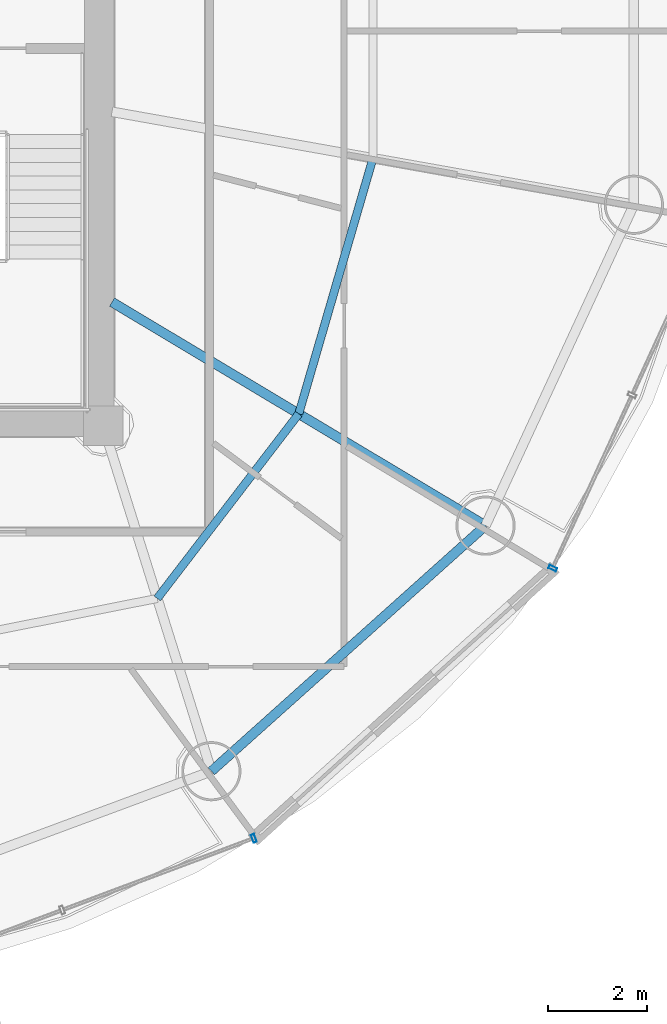
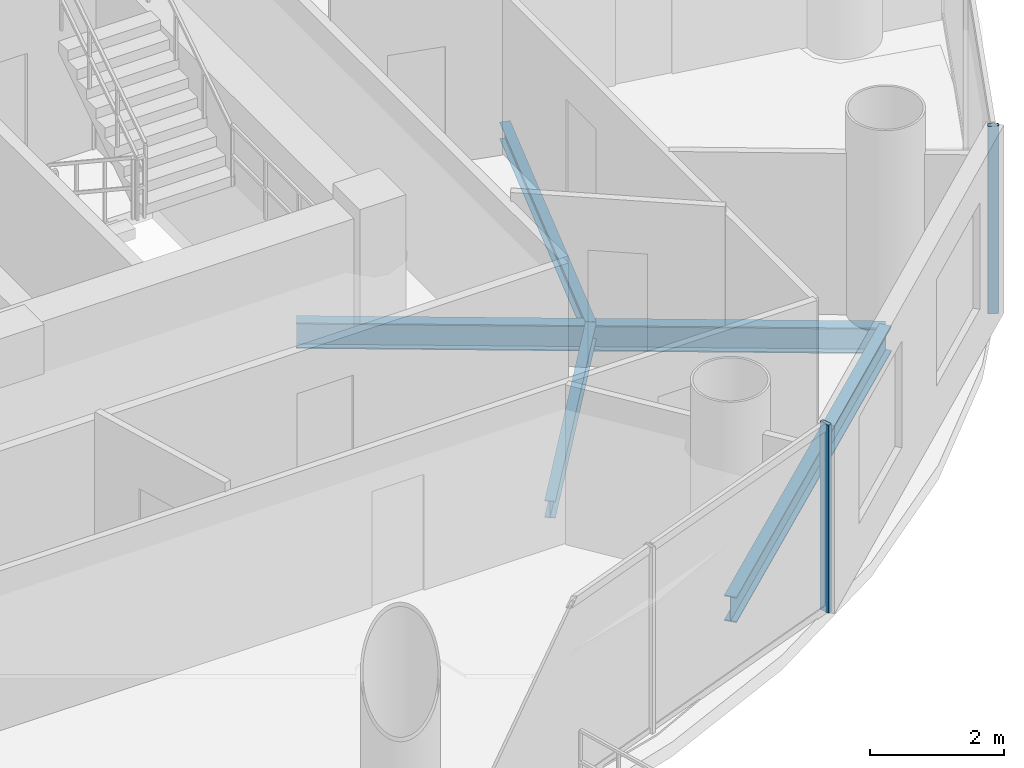
# One storey, part 11 of 26: 4 beams, 2 members, 2 elements without a shape of their own.
"""IFC4 building model written with IfcOpenShell, lengths in metres."""

from ifc_helpers import new_model, si_unit, direction, frame, origin, origin_2d, place, context, subcontext, project, spatial, hollow_rectangle, i_section, extrude, source, transform, mapped, material, material_profile, profile_set, type_object, element, aggregate, save


model = new_model("IFC4")

# Units and contexts
model_context = context("Model", 3, precision=1e-05, world=origin(), true_north=direction((-0.2419218956, 0.970295726276)))
body_context = subcontext(model_context, "Body", "Model", "MODEL_VIEW")
ifc_project = project(units=[si_unit("LENGTHUNIT", "METRE"), si_unit("AREAUNIT", "SQUARE_METRE"), si_unit("VOLUMEUNIT", "CUBIC_METRE"), si_unit("PLANEANGLEUNIT", "RADIAN"), si_unit("MASSUNIT", "GRAM", prefix="KILO")], contexts=[model_context])

# Site, building, storey
site_placement = place(None, origin())
site = spatial("IfcSite", under=ifc_project, at=site_placement, CompositionType="ELEMENT")
building_placement = place(site_placement, origin())
building = spatial("IfcBuilding", under=site, at=building_placement, Name="Cobrevalo Terracotta Tower", CompositionType="ELEMENT")
storey_placement = place(building_placement, frame((0.0, 0.0, 224.5)))
storey = spatial("IfcBuildingStorey", under=building, at=storey_placement, Name="L59", CompositionType="ELEMENT", Elevation=224.5)

# Beams
ifc_material_1 = material(Name="Steel S355", Category="steel")
ifc_material_profile_1 = material_profile(ifc_material_1, i_section(OverallWidth=0.194091796875, OverallDepth=0.468994140625, WebThickness=0.011474609375, FlangeThickness=0.0205078125, at=origin_2d()), Name="W 460x106")
ifc_profile_set_1 = profile_set([ifc_material_profile_1], Name="Steel S355")
beam_type_1 = type_object("IfcBeamType", Name="Structural Beam W 460x106 (Steel S355)", PredefinedType="BEAM", material=ifc_profile_set_1)
beam_1_placement = place(storey_placement, frame((54.754150390625, 16.77197265625, -0.49951171875), z_axis=(-0.858046392192, 0.513572184651, 0.0), x_axis=(-0.513572184651, -0.858046392192, 0.0)))
element("IfcBeam", 1, at=beam_1_placement, inside=storey, type_object=beam_type_1, Name="L59 radial floor girder 15", PredefinedType="BEAM", context=body_context, shape_type="SweptSolid", body=[
    extrude(i_section(OverallWidth=0.194091796875, OverallDepth=0.468994140625, WebThickness=0.011474609375, FlangeThickness=0.0205078125, at=origin_2d()), origin(), (0.0, 0.0, 1.0), 8.827392578125),
])
ifc_material_profile_2 = material_profile(ifc_material_1, i_section(OverallWidth=0.1650390625, OverallDepth=0.31005859375, WebThickness=0.005859375, FlangeThickness=0.009765625, at=origin_2d()), Name="W 310x38.7")
ifc_profile_set_2 = profile_set([ifc_material_profile_2], Name="Steel S355")
beam_type_2 = type_object("IfcBeamType", Name="Structural Joist W 310x38.7 (Steel S355)", PredefinedType="JOIST", material=ifc_profile_set_2)
beam_2_placement = place(storey_placement, frame((48.097412109375, 15.2958984375, -0.419921875), z_axis=(0.608464146296, 0.793581364872, 0.0), x_axis=(-0.793581364872, 0.608464146296, 0.0)))
element("IfcBeam", 2, at=beam_2_placement, inside=storey, type_object=beam_type_2, Name="L59 circumferential secondary floor joist 14", PredefinedType="JOIST", context=body_context, shape_type="SweptSolid", body=[
    extrude(i_section(OverallWidth=0.1650390625, OverallDepth=0.31005859375, WebThickness=0.005859375, FlangeThickness=0.009765625, at=origin_2d()), origin(), (0.0, 0.0, 1.0), 4.716064453125),
])
beam_3_placement = place(storey_placement, frame((50.967041015625, 19.03857421875, -0.419921875), z_axis=(0.278757705995, 0.960361463902, 0.0), x_axis=(-0.960361463902, 0.278757705995, 0.0)))
element("IfcBeam", 3, at=beam_3_placement, inside=storey, type_object=beam_type_2, Name="L59 circumferential secondary floor joist 15", PredefinedType="JOIST", context=body_context, shape_type="SweptSolid", body=[
    extrude(i_section(OverallWidth=0.1650390625, OverallDepth=0.31005859375, WebThickness=0.005859375, FlangeThickness=0.009765625, at=origin_2d()), origin(), (0.0, 0.0, 1.0), 5.396728515625),
])
ifc_material_profile_3 = material_profile(ifc_material_1, i_section(OverallWidth=0.194091796875, OverallDepth=0.468994140625, WebThickness=0.011474609375, FlangeThickness=0.0205078125, at=origin_2d()), Name="W 460x106")
ifc_profile_set_3 = profile_set([ifc_material_profile_3], Name="Steel S355")
beam_type_3 = type_object("IfcBeamType", Name="Structural Spandrel W 460x106 (Steel S355)", PredefinedType="SPANDREL", material=ifc_profile_set_3)
beam_4_placement = place(storey_placement, frame((49.19482421875, 11.7919921875, -0.49951171875), z_axis=(0.744851930997, 0.667229796165, 0.0), x_axis=(-0.667229796165, 0.744851930997, 0.0)))
element("IfcBeam", 4, at=beam_4_placement, inside=storey, type_object=beam_type_3, Name="L59 perimeter ring spandrel 14", PredefinedType="SPANDREL", context=body_context, shape_type="SweptSolid", body=[
    extrude(i_section(OverallWidth=0.194091796875, OverallDepth=0.468994140625, WebThickness=0.011474609375, FlangeThickness=0.0205078125, at=origin_2d()), origin(), (0.0, 0.0, 1.0), 7.463623046875),
])

# Curtain wall, member
ifc_material_2 = material(Name="Anodized aluminium", Category="aluminium")
curtain_wall_type = type_object("IfcCurtainWallType", Name="Mid-tower high-wind unitised curtain wall CW-U2", PredefinedType="NOTDEFINED", material=ifc_material_2)
curtain_wall_1_placement = place(storey_placement, origin())
curtain_wall_1 = element("IfcCurtainWall", 5, at=curtain_wall_1_placement, inside=storey, type_object=curtain_wall_type, Name="L59 curtain wall CW-L59-S13", PredefinedType="NOTDEFINED")
ifc_material_profile_4 = material_profile(ifc_material_2, hollow_rectangle(XDim=0.070068359375, YDim=0.169921875, WallThickness=0.00439453125, at=origin_2d()), Name="CWM 70x170")
ifc_profile_set_4 = profile_set([ifc_material_profile_4], Name="Anodized aluminium")
member_type = type_object("IfcMemberType", Name="Upper tower unitised mullion 70x170", PredefinedType="MULLION", material=ifc_profile_set_4)
shared_shape = source(origin(), body_context, "Body", "SweptSolid", [
    extrude(hollow_rectangle(XDim=0.070068359375, YDim=0.169921875, WallThickness=0.00439453125, at=origin_2d()), origin(), (0.0, 0.0, 1.0), 3.43505859375),
])
member_1_placement = place(storey_placement, frame((50.057373046875, 10.430908203125, 0.0), z_axis=(0.0, 0.0, 1.0), x_axis=(0.936556004584, 0.350517974259, 0.0)))
member_1 = element("IfcMember", 6, at=member_1_placement, type_object=member_type, Name="CW-L59-S13 vertical mullion 03", PredefinedType="MULLION", context=body_context, shape_type="MappedRepresentation", body=[
    mapped(shared_shape, transform((0.0, 0.0, 0.0), scale=1.0)),
])
aggregate(curtain_wall_1, [member_1])

curtain_wall_2_placement = place(storey_placement, origin())
curtain_wall_2 = element("IfcCurtainWall", 7, at=curtain_wall_2_placement, inside=storey, type_object=curtain_wall_type, Name="L59 curtain wall CW-L59-S15", PredefinedType="NOTDEFINED")
member_2_placement = place(storey_placement, frame((56.11767578125, 15.908203125, 0.0), z_axis=(0.0, 0.0, 1.0), x_axis=(0.41672507912, 0.909032567311, 0.0)))
member_2 = element("IfcMember", 8, at=member_2_placement, type_object=member_type, Name="CW-L59-S15 vertical mullion 01", PredefinedType="MULLION", context=body_context, shape_type="MappedRepresentation", body=[
    mapped(shared_shape, transform((0.0, 0.0, 0.0), scale=1.0)),
])
aggregate(curtain_wall_2, [member_2])

save(model, "model.ifc")
